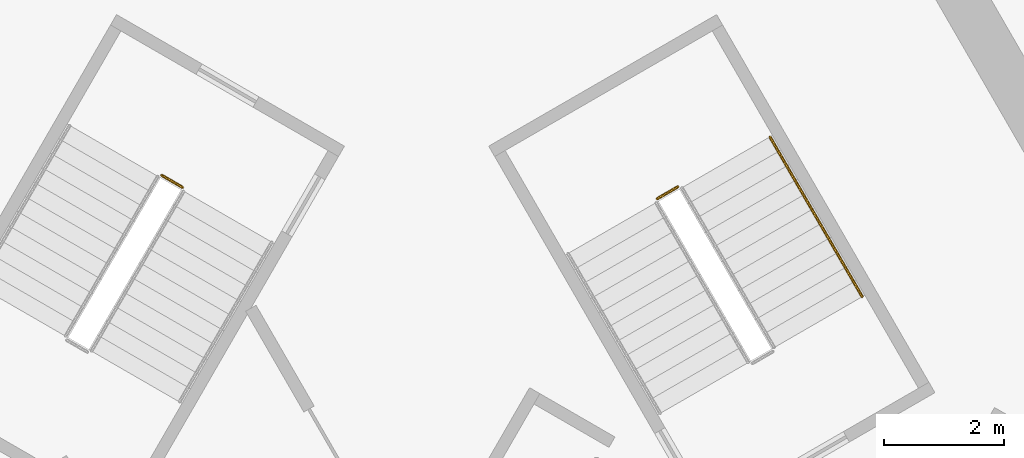
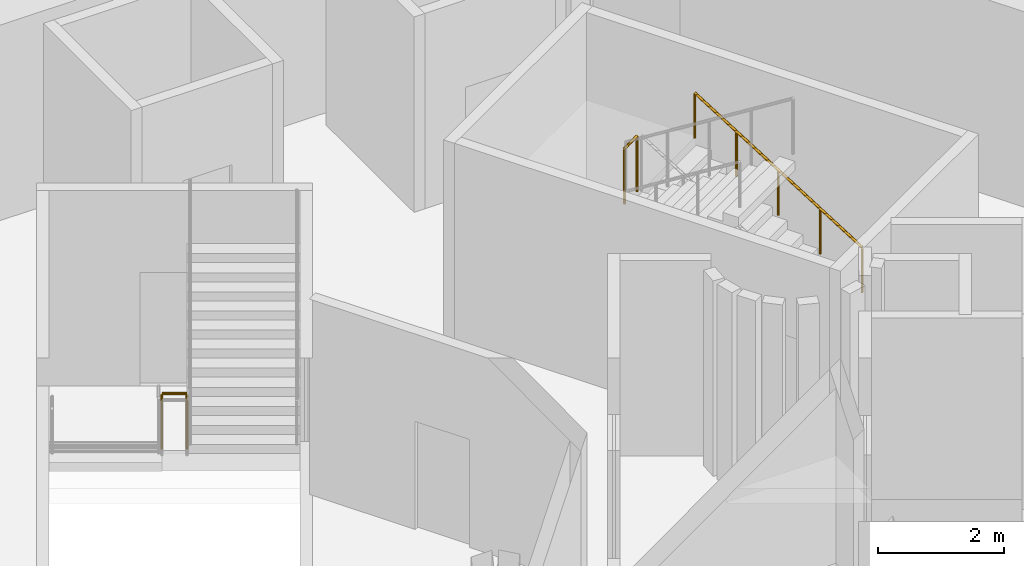
# One storey, part 16 of 17: 3 railings.
"""IFC4 building model written with IfcOpenShell, lengths in metres."""

from ifc_helpers import new_model, si_unit, direction, frame, origin, origin_2d, place, context, subcontext, project, spatial, circle, extrude, material, type_object, element, save


model = new_model("IFC4")

# Units and contexts
model_context = context("Model", 3, precision=1e-05, world=origin(), true_north=direction((0.0, 1.0)))
body_context = subcontext(model_context, "Body", "Model", "MODEL_VIEW")
ifc_project = project(units=[si_unit("LENGTHUNIT", "METRE"), si_unit("AREAUNIT", "SQUARE_METRE"), si_unit("VOLUMEUNIT", "CUBIC_METRE"), si_unit("PLANEANGLEUNIT", "RADIAN"), si_unit("MASSUNIT", "GRAM", prefix="KILO")], contexts=[model_context])

# Site, building, storey
site_placement = place(None, origin())
site = spatial("IfcSite", under=ifc_project, at=site_placement, CompositionType="ELEMENT")
building_placement = place(site_placement, origin())
building = spatial("IfcBuilding", under=site, at=building_placement, Name="Entoto Arch Interchange Tower", CompositionType="ELEMENT")
storey_placement = place(building_placement, frame((0.0, 0.0, 167.60009765625)))
storey = spatial("IfcBuildingStorey", under=building, at=storey_placement, Name="L37", CompositionType="ELEMENT", Elevation=167.60009765625)

# Railings
ifc_material = material(Name="Stainless steel 1.4301", Category="steel")
railing_type_1 = type_object("IfcRailingType", Name="STAIR GUARD 1100 STEEL", PredefinedType="GUARDRAIL", material=ifc_material)
railing_1_placement = place(storey_placement, frame((4.36962890625, 6.731689453125, 2.099853515625)))
element("IfcRailing", 1, at=railing_1_placement, inside=storey, type_object=railing_type_1, Name="L37 ST-NE stair guard 2", PredefinedType="GUARDRAIL", context=body_context, shape_type="SweptSolid", body=[
    extrude(circle(Radius=0.02392578125, at=origin_2d()), frame((0.0, 0.0, 1.076171875), z_axis=(-0.866094119867, -0.499880961361, 0.0), x_axis=(0.499880961361, -0.866094119867, 0.0)), (0.0, 0.0, 1.0), 0.39990234375),
    extrude(circle(Radius=0.02099609375, at=origin_2d()), origin(), (0.0, 0.0, 1.0), 1.052001953125),
    extrude(circle(Radius=0.02099609375, at=origin_2d()), frame((-0.346435546875, -0.199951171875, 0.0)), (0.0, 0.0, 1.0), 1.052001953125),
])
railing_2_placement = place(storey_placement, frame((-4.259521484375, 6.92236328125, 0.0)))
element("IfcRailing", 2, at=railing_2_placement, inside=storey, type_object=railing_type_1, Name="L37 ST-NW stair guard 4", PredefinedType="GUARDRAIL", context=body_context, shape_type="SweptSolid", body=[
    extrude(circle(Radius=0.02392578125, at=origin_2d()), frame((0.0, 0.0, 1.076171875), z_axis=(0.865829829939, -0.500338590944, 0.0), x_axis=(0.500338590944, 0.865829829939, 0.0)), (0.0, 0.0, 1.0), 0.400146484375),
    extrude(circle(Radius=0.02099609375, at=origin_2d()), origin(), (0.0, 0.0, 1.0), 1.052001953125),
    extrude(circle(Radius=0.02099609375, at=origin_2d()), frame((0.346435546875, -0.2001953125, 0.0)), (0.0, 0.0, 1.0), 1.052001953125),
])
railing_type_2 = type_object("IfcRailingType", Name="STAIR HANDRAIL 900 STEEL", PredefinedType="HANDRAIL", material=ifc_material)
railing_3_placement = place(storey_placement, frame((7.4501953125, 4.89599609375, 0.1748046875)))
element("IfcRailing", 3, at=railing_3_placement, inside=storey, type_object=railing_type_2, Name="L37 ST-NE stair handrail 1", PredefinedType="HANDRAIL", context=body_context, shape_type="SweptSolid", body=[
    extrude(circle(Radius=0.02392578125, at=origin_2d()), frame((0.0, 0.0, 0.8759765625), z_axis=(-0.423994474112, 0.734394994316, 0.52999309264), x_axis=(-0.866029832698, -0.499992328818, 0.0)), (0.0, 0.0, 1.0), 3.63232421875),
    extrude(circle(Radius=0.02099609375, at=origin_2d()), origin(), (0.0, 0.0, 1.0), 0.851806640625),
    extrude(circle(Radius=0.02099609375, at=origin_2d()), frame((-0.385009765625, 0.6669921875, 0.481201171875)), (0.0, 0.0, 1.0), 0.851806640625),
    extrude(circle(Radius=0.02099609375, at=origin_2d()), frame((-0.77001953125, 1.333740234375, 0.96240234375)), (0.0, 0.0, 1.0), 0.851806640625),
    extrude(circle(Radius=0.02099609375, at=origin_2d()), frame((-1.155029296875, 2.00048828125, 1.44384765625)), (0.0, 0.0, 1.0), 0.851806640625),
    extrude(circle(Radius=0.02099609375, at=origin_2d()), frame((-1.5400390625, 2.66748046875, 1.925048828125)), (0.0, 0.0, 1.0), 0.851806640625),
])

save(model, "model.ifc")
